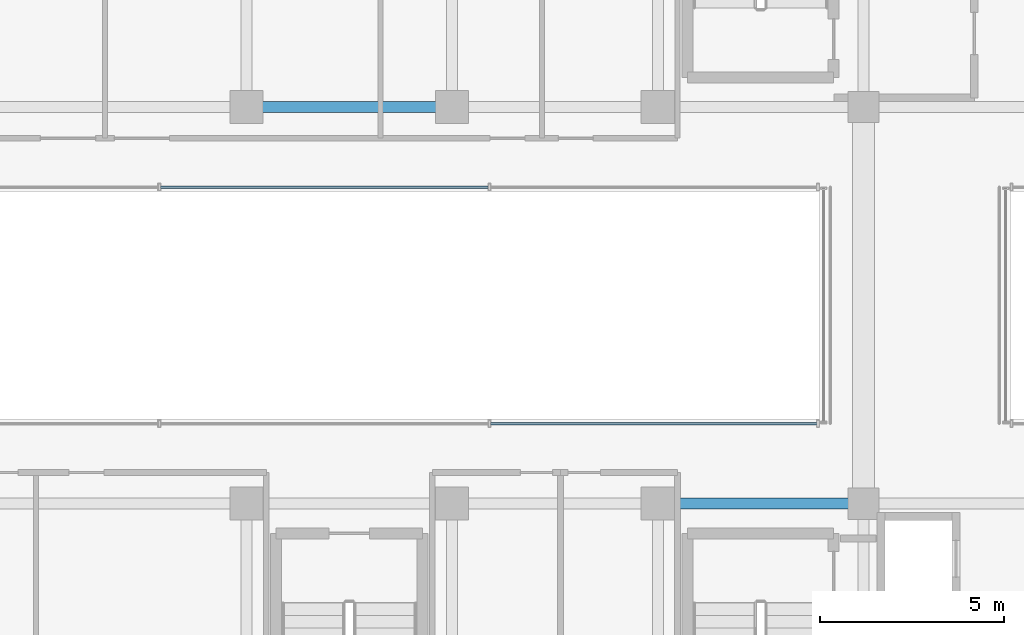
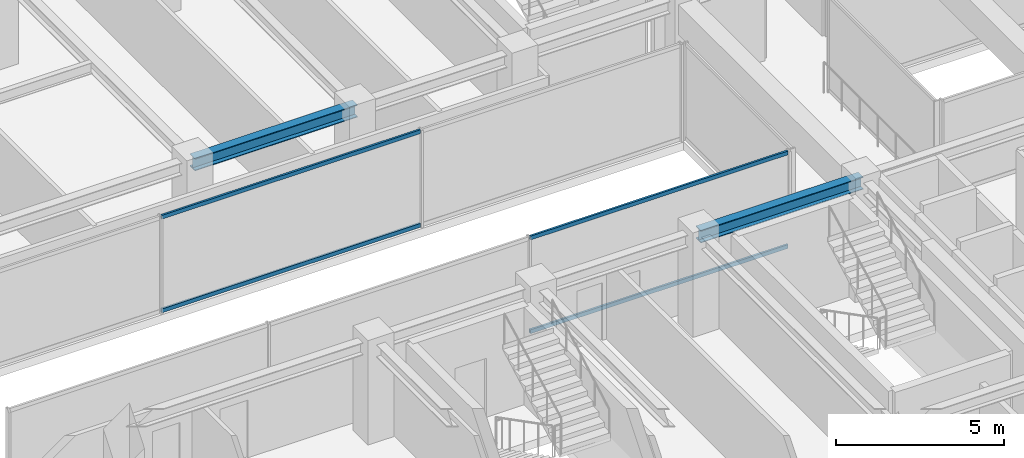
# One storey, part 12 of 37: 4 members, 2 beams, 2 elements without a shape of their own.
"""IFC4 building model written with IfcOpenShell, lengths in metres."""

from ifc_helpers import new_model, si_unit, direction, frame, origin, origin_2d, place, context, subcontext, project, spatial, hollow_rectangle, i_section, extrude, source, transform, mapped, material, material_profile, profile_set, type_object, element, aggregate, save


model = new_model("IFC4")

# Units and contexts
model_context = context("Model", 3, precision=1e-05, world=origin(), true_north=direction((0.0, 1.0)))
body_context = subcontext(model_context, "Body", "Model", "MODEL_VIEW")
ifc_project = project(units=[si_unit("LENGTHUNIT", "METRE"), si_unit("AREAUNIT", "SQUARE_METRE"), si_unit("VOLUMEUNIT", "CUBIC_METRE"), si_unit("PLANEANGLEUNIT", "RADIAN"), si_unit("MASSUNIT", "GRAM", prefix="KILO")], contexts=[model_context])

# Site, building, storey
site_placement = place(None, origin())
site = spatial("IfcSite", under=ifc_project, at=site_placement, CompositionType="ELEMENT")
building_placement = place(site_placement, origin())
building = spatial("IfcBuilding", under=site, at=building_placement, Name="Nahalor Promenade Grand Hotel", CompositionType="ELEMENT")
storey_placement = place(building_placement, frame((0.0, 0.0, 308.050048828125)))
storey = spatial("IfcBuildingStorey", under=building, at=storey_placement, Name="L79", CompositionType="ELEMENT", Elevation=308.050048828125)

# Beams
ifc_material_1 = material(Name="Steel S355JR", Category="steel")
ifc_material_profile_1 = material_profile(ifc_material_1, i_section(OverallWidth=0.3, OverallDepth=0.45, WebThickness=0.014, FlangeThickness=0.026, at=origin_2d()), Name="HEB 450")
ifc_profile_set_1 = profile_set([ifc_material_profile_1], Name="Steel S355JR")
beam_type = type_object("IfcBeamType", Name="Beam-Girder-HEB450", PredefinedType="BEAM", material=ifc_profile_set_1)
shared_shape_1 = source(origin(), body_context, "Body", "SweptSolid", [
    extrude(i_section(OverallWidth=0.3, OverallDepth=0.45, WebThickness=0.014, FlangeThickness=0.026, at=origin_2d()), origin(), (0.0, 0.0, 1.0), 5.599853515625),
])
for number, where, z_axis, x_axis, name in (
    (1, (2.800048828125, -5.39990234375, 3.324951171875), (1.0, 0.0, 0.0), (0.0, 1.0, 0.0), "BM-L79-GX-1-4"),
    (2, (-8.39990234375, 5.39990234375, 3.324951171875), (1.0, 0.0, 0.0), (0.0, 1.0, 0.0), "BM-L79-GX-2-2"),
):
    element("IfcBeam", number, at=place(storey_placement, frame(where, z_axis=z_axis, x_axis=x_axis)), inside=storey, type_object=beam_type, Name=name, PredefinedType="BEAM", context=body_context, shape_type="MappedRepresentation", body=[
        mapped(shared_shape_1, transform((0.0, 0.0, 0.0), scale=1.0)),
    ])

# Curtain wall, members
ifc_material_2 = material(Name="Anodised Bronze Aluminium EN AW-6063 T6", Category="aluminium")
curtain_wall_type = type_object("IfcCurtainWallType", Name="CW3 Elliptical-Void Collar Unitised Curtain Wall", PredefinedType="USERDEFINED", material=ifc_material_2)
curtain_wall_1_placement = place(storey_placement, origin())
curtain_wall_1 = element("IfcCurtainWall", 3, at=curtain_wall_1_placement, inside=storey, type_object=curtain_wall_type, Name="L79 Curtain Wall CW-L79-VOID-WS1", ObjectType="UNITISED_CURTAIN_WALL", PredefinedType="USERDEFINED")
ifc_material_profile_2 = material_profile(ifc_material_2, hollow_rectangle(XDim=0.07, YDim=0.14, WallThickness=0.004, at=origin_2d()), Name="CWT 70x140x4")
ifc_profile_set_2 = profile_set([ifc_material_profile_2], Name="Anodised Bronze Aluminium EN AW-6063 T6")
member_type = type_object("IfcMemberType", Name="CWT3 Void Collar Transom 70x140", PredefinedType="USERDEFINED", material=ifc_profile_set_2)
shared_shape_2 = source(origin(), body_context, "Body", "SweptSolid", [
    extrude(hollow_rectangle(XDim=0.07, YDim=0.14, WallThickness=0.004, at=origin_2d()), origin(), (0.0, 0.0, 1.0), 8.881591796875),
])
member_1_placement = place(storey_placement, frame((-1.751708984375, -3.219970703125, 0.070068359375), z_axis=(1.0, 0.0, 0.0), x_axis=(0.0, 1.0, 0.0)))
member_1 = element("IfcMember", 4, at=member_1_placement, type_object=member_type, Name="CW-L79-VOID-WS1 Transom 2-0", ObjectType="TRANSOM", PredefinedType="USERDEFINED", context=body_context, shape_type="MappedRepresentation", body=[
    mapped(shared_shape_2, transform((0.0, 0.0, 0.0), scale=1.0)),
])
member_2_placement = place(storey_placement, frame((-1.751708984375, -3.219970703125, 3.47998046875), z_axis=(1.0, 0.0, 0.0), x_axis=(0.0, 1.0, 0.0)))
member_2 = element("IfcMember", 5, at=member_2_placement, type_object=member_type, Name="CW-L79-VOID-WS1 Transom 2-1", ObjectType="TRANSOM", PredefinedType="USERDEFINED", context=body_context, shape_type="MappedRepresentation", body=[
    mapped(shared_shape_2, transform((0.0, 0.0, 0.0), scale=1.0)),
])
aggregate(curtain_wall_1, [member_1, member_2])

curtain_wall_2_placement = place(storey_placement, origin())
curtain_wall_2 = element("IfcCurtainWall", 6, at=curtain_wall_2_placement, inside=storey, type_object=curtain_wall_type, Name="L79 Curtain Wall CW-L79-VOID-WN1", ObjectType="UNITISED_CURTAIN_WALL", PredefinedType="USERDEFINED")
shared_shape_3 = source(origin(), body_context, "Body", "SweptSolid", [
    extrude(hollow_rectangle(XDim=0.07, YDim=0.14, WallThickness=0.004, at=origin_2d()), origin(), (0.0, 0.0, 1.0), 8.91650390625),
])
member_3_placement = place(storey_placement, frame((-10.73828125, 3.219970703125, 0.070068359375), z_axis=(1.0, 0.0, 0.0), x_axis=(0.0, 1.0, 0.0)))
member_3 = element("IfcMember", 7, at=member_3_placement, type_object=member_type, Name="CW-L79-VOID-WN1 Transom 1-0", ObjectType="TRANSOM", PredefinedType="USERDEFINED", context=body_context, shape_type="MappedRepresentation", body=[
    mapped(shared_shape_3, transform((0.0, 0.0, 0.0), scale=1.0)),
])
member_4_placement = place(storey_placement, frame((-10.73828125, 3.219970703125, 3.47998046875), z_axis=(1.0, 0.0, 0.0), x_axis=(0.0, 1.0, 0.0)))
member_4 = element("IfcMember", 8, at=member_4_placement, type_object=member_type, Name="CW-L79-VOID-WN1 Transom 1-1", ObjectType="TRANSOM", PredefinedType="USERDEFINED", context=body_context, shape_type="MappedRepresentation", body=[
    mapped(shared_shape_3, transform((0.0, 0.0, 0.0), scale=1.0)),
])
aggregate(curtain_wall_2, [member_3, member_4])

save(model, "model.ifc")
